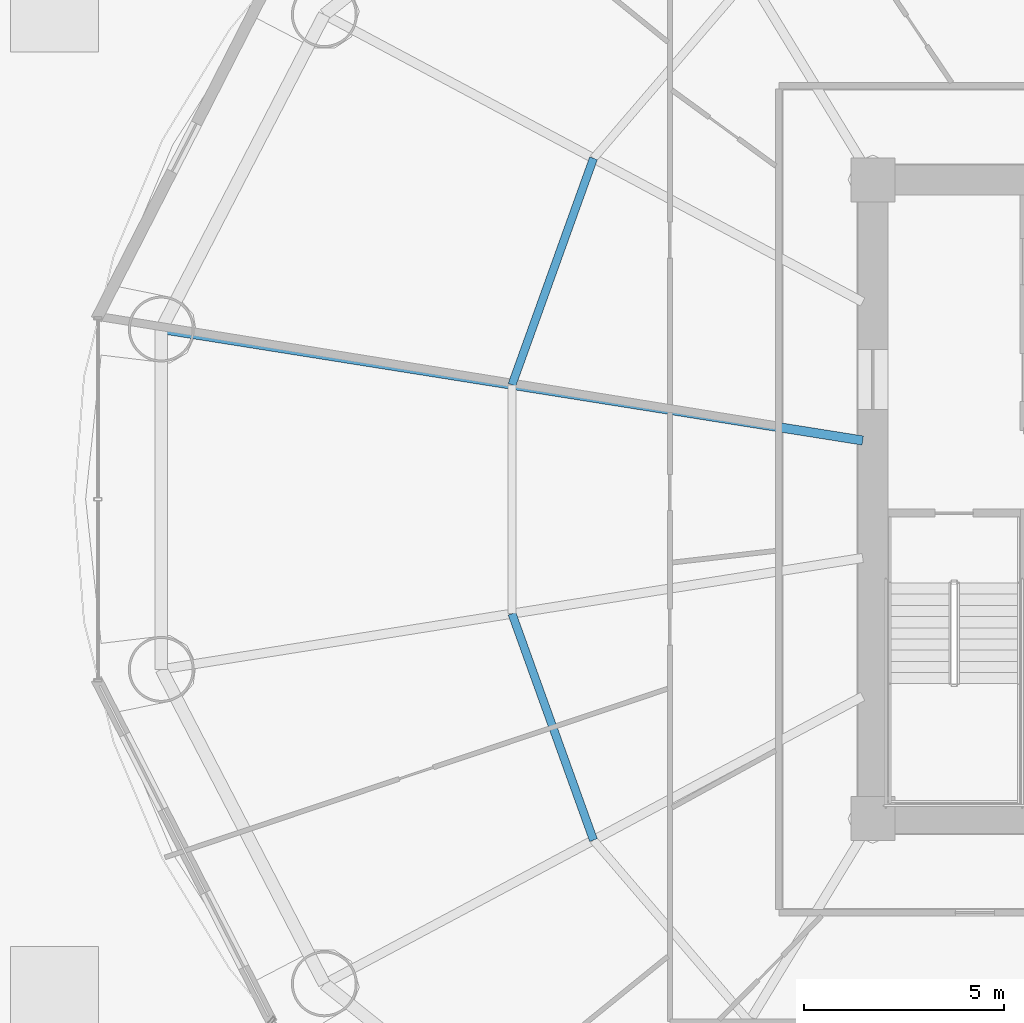
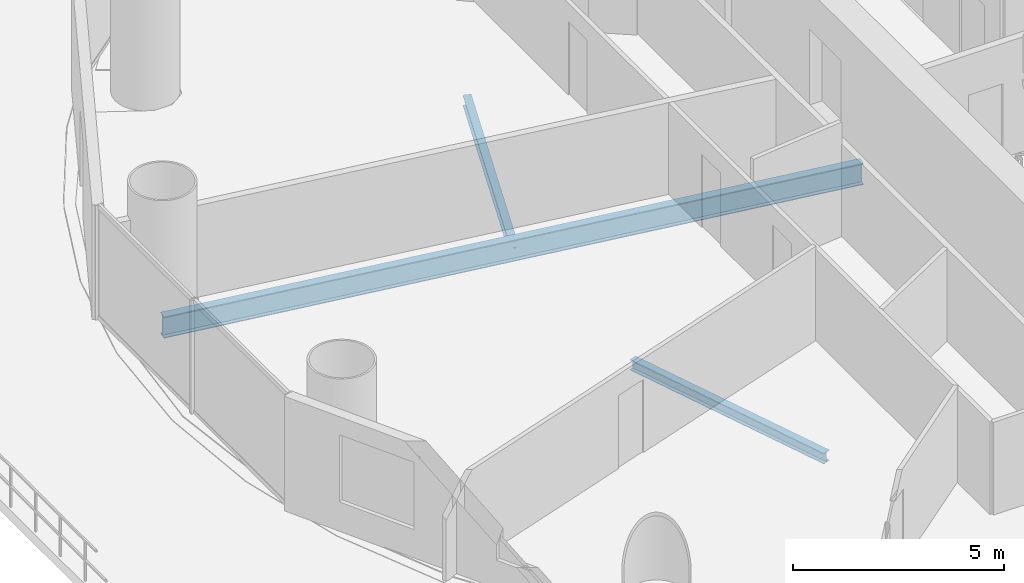
# One storey, part 10 of 37: 3 beams.
"""IFC4 building model written with IfcOpenShell, lengths in metres."""

from ifc_helpers import new_model, si_unit, direction, frame, origin, origin_2d, place, context, subcontext, project, spatial, i_section, extrude, material, material_profile, profile_set, type_object, element, save


model = new_model("IFC4")

# Units and contexts
model_context = context("Model", 3, precision=1e-05, world=origin(), true_north=direction((-0.2419218956, 0.970295726276)))
body_context = subcontext(model_context, "Body", "Model", "MODEL_VIEW")
ifc_project = project(units=[si_unit("LENGTHUNIT", "METRE"), si_unit("AREAUNIT", "SQUARE_METRE"), si_unit("VOLUMEUNIT", "CUBIC_METRE"), si_unit("PLANEANGLEUNIT", "RADIAN"), si_unit("MASSUNIT", "GRAM", prefix="KILO")], contexts=[model_context])

# Site, building, storey
site_placement = place(None, origin())
site = spatial("IfcSite", under=ifc_project, at=site_placement, CompositionType="ELEMENT")
building_placement = place(site_placement, origin())
building = spatial("IfcBuilding", under=site, at=building_placement, Name="Cobrevalo Terracotta Tower", CompositionType="ELEMENT")
storey_placement = place(building_placement, frame((0.0, 0.0, 24.0)))
storey = spatial("IfcBuildingStorey", under=building, at=storey_placement, Name="L05", CompositionType="ELEMENT", Elevation=24.0)

# Beams
ifc_material = material(Name="Steel S355", Category="steel")
ifc_material_profile_1 = material_profile(ifc_material, i_section(OverallWidth=0.22998046875, OverallDepth=0.616943359375, WebThickness=0.01318359375, FlangeThickness=0.022216796875, at=origin_2d()), Name="W 610x140")
ifc_profile_set_1 = profile_set([ifc_material_profile_1], Name="Steel S355")
beam_type_1 = type_object("IfcBeamType", Name="Structural Beam W 610x140 (Steel S355)", PredefinedType="BEAM", material=ifc_profile_set_1)
beam_placement = place(storey_placement, frame((11.175537109375, 31.062744140625, -0.58837890625), z_axis=(0.987607924622, -0.156941349628, 0.0), x_axis=(0.156941349628, 0.987607924622, 0.0)))
element("IfcBeam", 1, at=beam_placement, inside=storey, type_object=beam_type_1, Name="L05 radial floor girder 08", PredefinedType="BEAM", context=body_context, shape_type="SweptSolid", body=[
    extrude(i_section(OverallWidth=0.22998046875, OverallDepth=0.616943359375, WebThickness=0.01318359375, FlangeThickness=0.022216796875, at=origin_2d()), origin(), (0.0, 0.0, 1.0), 17.7900390625),
])
ifc_material_profile_2 = material_profile(ifc_material, i_section(OverallWidth=0.2041015625, OverallDepth=0.305908203125, WebThickness=0.008544921875, FlangeThickness=0.0146484375, at=origin_2d()), Name="W 310x67")
ifc_profile_set_2 = profile_set([ifc_material_profile_2], Name="Steel S355")
beam_type_2 = type_object("IfcBeamType", Name="Structural Joist W 310x67 (Steel S355)", PredefinedType="JOIST", material=ifc_profile_set_2)
for number, where, z_axis, x_axis, name in (
    (2, (22.002197265625, 35.33984375, -0.43310546875), (-0.338672151116, -0.940904444701, 0.0), (0.940904444701, -0.338672151116, 0.0), "L05 circumferential secondary floor joist 07"),
    (3, (19.960205078125, 23.933349609375, -0.43310546875), (0.338672151116, -0.940904444701, 0.0), (0.940904444701, 0.338672151116, 0.0), "L05 circumferential secondary floor joist 09"),
):
    element("IfcBeam", number, at=place(storey_placement, frame(where, z_axis=z_axis, x_axis=x_axis)), inside=storey, type_object=beam_type_2, Name=name, PredefinedType="JOIST", context=body_context, shape_type="SweptSolid", body=[
        extrude(i_section(OverallWidth=0.2041015625, OverallDepth=0.305908203125, WebThickness=0.008544921875, FlangeThickness=0.0146484375, at=origin_2d()), origin(), (0.0, 0.0, 1.0), 6.029296875),
    ])

save(model, "model.ifc")
